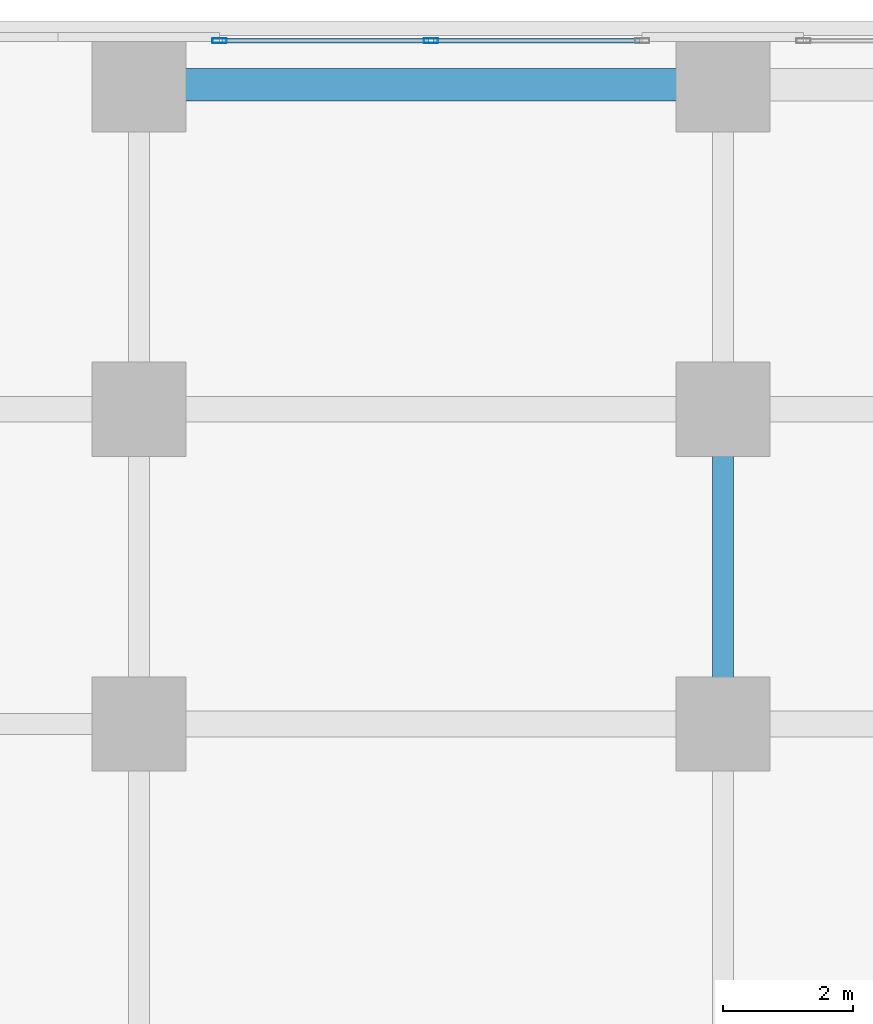
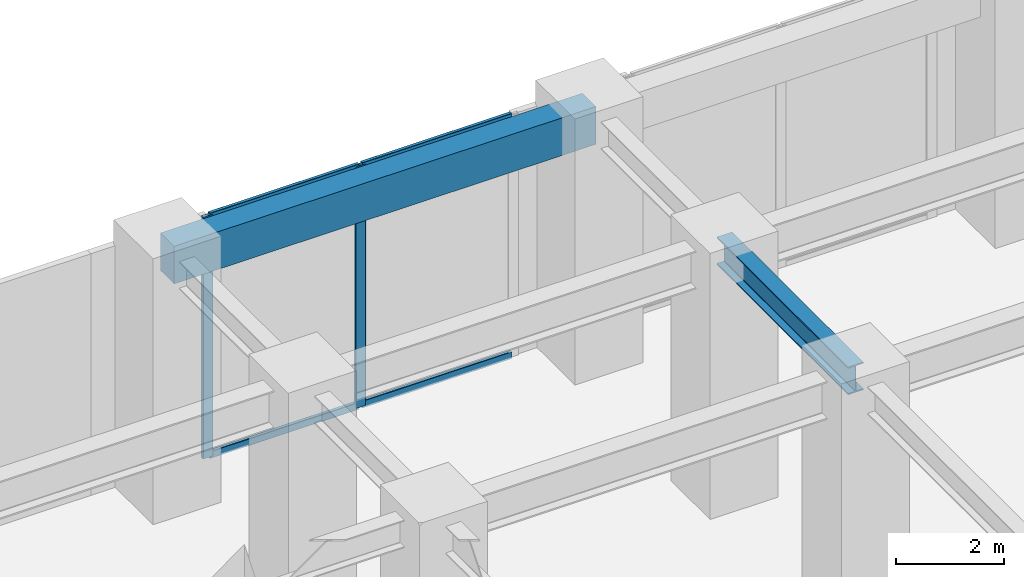
# One storey, part 17 of 34: 6 members, 2 beams, 1 element without a shape of its own.
"""IFC4 building model written with IfcOpenShell, lengths in metres."""

from ifc_helpers import new_model, si_unit, direction, frame, origin, origin_2d, place, context, subcontext, project, spatial, rectangle, hollow_rectangle, i_section, extrude, source, transform, mapped, material, material_profile, profile_set, type_object, element, aggregate, save


model = new_model("IFC4")

# Units and contexts
model_context = context("Model", 3, precision=1e-05, world=origin(), true_north=direction((0.0, 1.0)))
body_context = subcontext(model_context, "Body", "Model", "MODEL_VIEW")
ifc_project = project(units=[si_unit("LENGTHUNIT", "METRE"), si_unit("AREAUNIT", "SQUARE_METRE"), si_unit("VOLUMEUNIT", "CUBIC_METRE"), si_unit("PLANEANGLEUNIT", "RADIAN"), si_unit("MASSUNIT", "GRAM", prefix="KILO")], contexts=[model_context])

# Site, building, storey
site_placement = place(None, origin())
site = spatial("IfcSite", under=ifc_project, at=site_placement, CompositionType="ELEMENT")
building_placement = place(site_placement, origin())
building = spatial("IfcBuilding", under=site, at=building_placement, Name="Torre Montelarca", CompositionType="ELEMENT")
storey_placement = place(building_placement, frame((0.0, 0.0, 6.0)))
storey = spatial("IfcBuildingStorey", under=building, at=storey_placement, Name="L02", CompositionType="ELEMENT", Elevation=6.0)

# Beams
ifc_material_1 = material(Name="Concrete C55/67", Category="concrete")
ifc_material_profile_1 = material_profile(ifc_material_1, rectangle(XDim=0.5, YDim=0.85009765625, at=origin_2d()), Name="RCB500X850", Category="concrete")
ifc_profile_set_1 = profile_set([ifc_material_profile_1], Name="Concrete C55/67")
beam_type_1 = type_object("IfcBeamType", Name="BM-SP-RC850-EXT", PredefinedType="SPANDREL", material=ifc_profile_set_1)
shared_shape_1 = source(origin(), body_context, "Body", "SweptSolid", [
    extrude(rectangle(XDim=0.5, YDim=0.85009765625, at=origin_2d()), origin(), (0.0, 0.0, 1.0), 9.0),
])
beam_1_placement = place(storey_placement, frame((9.0, 57.0, 5.31494140625), z_axis=(1.0, 0.0, 0.0), x_axis=(0.0, 1.0, 0.0)))
element("IfcBeam", 1, at=beam_1_placement, inside=storey, type_object=beam_type_1, Name="L02 Grid Girder X 9.0-18.0 at Y=57.0", PredefinedType="SPANDREL", context=body_context, shape_type="MappedRepresentation", body=[
    mapped(shared_shape_1, transform((0.0, 0.0, 0.0), scale=1.0)),
])
ifc_material_2 = material(Name="Steel ASTM A992 Grade 50", Category="steel")
ifc_material_profile_2 = material_profile(ifc_material_2, i_section(OverallWidth=0.326904296875, OverallDepth=0.6220703125, WebThickness=0.015380859375, FlangeThickness=0.0244140625, FilletRadius=0.014892578125, at=origin_2d()), Name="W610X195", Category="steel")
ifc_profile_set_2 = profile_set([ifc_material_profile_2], Name="Steel ASTM A992 Grade 50")
beam_type_2 = type_object("IfcBeamType", Name="BM-G-W610H", PredefinedType="BEAM", material=ifc_profile_set_2)
shared_shape_2 = source(origin(), body_context, "Body", "SweptSolid", [
    extrude(i_section(OverallWidth=0.326904296875, OverallDepth=0.6220703125, WebThickness=0.015380859375, FlangeThickness=0.0244140625, FilletRadius=0.014892578125, at=origin_2d()), origin(), (0.0, 0.0, 1.0), 4.85009765625),
])
beam_2_placement = place(storey_placement, frame((18.0, 47.14990234375, 5.428955078125), z_axis=(0.0, 1.0, 0.0), x_axis=(-1.0, 0.0, 0.0)))
element("IfcBeam", 2, at=beam_2_placement, inside=storey, type_object=beam_type_2, Name="L02 Grid Girder Y 47.1-52.0 at X=18.0", PredefinedType="BEAM", context=body_context, shape_type="MappedRepresentation", body=[
    mapped(shared_shape_2, transform((0.0, 0.0, 0.0), scale=1.0)),
])

# Curtain wall, members
ifc_material_3 = material(Name="Insulated low-E laminated glass", Category="glass")
curtain_wall_type = type_object("IfcCurtainWallType", Name="CW-SYS-POD2", PredefinedType="USERDEFINED", material=ifc_material_3)
curtain_wall_placement = place(storey_placement, origin())
curtain_wall = element("IfcCurtainWall", 3, at=curtain_wall_placement, inside=storey, type_object=curtain_wall_type, Name="L02 Curtain Wall Run CW-T3-L02-E08-B3", ObjectType="UNITISED GLAZING", PredefinedType="USERDEFINED")
ifc_material_4 = material(Name="Anodised aluminium AA 6063-T6", Category="aluminium")
ifc_material_profile_3 = material_profile(ifc_material_4, hollow_rectangle(XDim=0.074951171875, YDim=0.219970703125, WallThickness=0.0048828125, InnerFilletRadius=0.0048828125, OuterFilletRadius=0.010009765625, at=origin_2d()), Name="ALU75X220X5", Category="aluminium")
ifc_profile_set_3 = profile_set([ifc_material_profile_3], Name="Anodised aluminium AA 6063-T6")
member_type_1 = type_object("IfcMemberType", Name="CWM-ALU220", PredefinedType="MULLION", material=ifc_profile_set_3)
shared_shape_3 = source(origin(), body_context, "Body", "SweptSolid", [
    extrude(hollow_rectangle(XDim=0.074951171875, YDim=0.219970703125, WallThickness=0.0048828125, InnerFilletRadius=0.0048828125, OuterFilletRadius=0.010009765625, at=origin_2d()), origin(), (0.0, 0.0, 1.0), 5.449951171875),
])
member_1_placement = place(storey_placement, frame((13.5, 57.679931640625, 0.0), z_axis=(0.0, 0.0, 1.0), x_axis=(0.0, -1.0, 0.0)))
member_1 = element("IfcMember", 4, at=member_1_placement, type_object=member_type_1, Name="CW mullion 2", PredefinedType="MULLION", context=body_context, shape_type="MappedRepresentation", body=[
    mapped(shared_shape_3, transform((0.0, 0.0, 0.0), scale=1.0)),
])
member_2_placement = place(storey_placement, frame((10.242431640625, 57.679931640625, 0.0), z_axis=(0.0, 0.0, 1.0), x_axis=(0.0, -1.0, 0.0)))
member_2 = element("IfcMember", 5, at=member_2_placement, type_object=member_type_1, Name="CW mullion 3", PredefinedType="MULLION", context=body_context, shape_type="MappedRepresentation", body=[
    mapped(shared_shape_3, transform((0.0, 0.0, 0.0), scale=1.0)),
])
ifc_material_profile_4 = material_profile(ifc_material_4, hollow_rectangle(XDim=0.074951171875, YDim=0.159912109375, WallThickness=0.0048828125, InnerFilletRadius=0.0048828125, OuterFilletRadius=0.010009765625, at=origin_2d()), Name="ALU75X160X5", Category="aluminium")
ifc_profile_set_4 = profile_set([ifc_material_profile_4], Name="Anodised aluminium AA 6063-T6")
member_type_2 = type_object("IfcMemberType", Name="CWT-ALU160", PredefinedType="USERDEFINED", material=ifc_profile_set_4)
shared_shape_4 = source(origin(), body_context, "Body", "SweptSolid", [
    extrude(hollow_rectangle(XDim=0.074951171875, YDim=0.159912109375, WallThickness=0.0048828125, InnerFilletRadius=0.0048828125, OuterFilletRadius=0.010009765625, at=origin_2d()), origin(), (0.0, 0.0, 1.0), 3.182373046875),
])
member_3_placement = place(storey_placement, frame((16.719970703125, 57.679931640625, 0.03759765625), z_axis=(-1.0, 0.0, 0.0), x_axis=(0.0, -1.0, 0.0)))
member_3 = element("IfcMember", 6, at=member_3_placement, type_object=member_type_2, Name="CW transom 1.1", ObjectType="TRANSOM", PredefinedType="USERDEFINED", context=body_context, shape_type="MappedRepresentation", body=[
    mapped(shared_shape_4, transform((0.0, 0.0, 0.0), scale=1.0)),
])
member_4_placement = place(storey_placement, frame((16.719970703125, 57.679931640625, 5.41259765625), z_axis=(-1.0, 0.0, 0.0), x_axis=(0.0, -1.0, 0.0)))
member_4 = element("IfcMember", 7, at=member_4_placement, type_object=member_type_2, Name="CW transom 1.2", ObjectType="TRANSOM", PredefinedType="USERDEFINED", context=body_context, shape_type="MappedRepresentation", body=[
    mapped(shared_shape_4, transform((0.0, 0.0, 0.0), scale=1.0)),
])
member_5_placement = place(storey_placement, frame((13.46240234375, 57.679931640625, 0.03759765625), z_axis=(-1.0, 0.0, 0.0), x_axis=(0.0, -1.0, 0.0)))
member_5 = element("IfcMember", 8, at=member_5_placement, type_object=member_type_2, Name="CW transom 2.1", ObjectType="TRANSOM", PredefinedType="USERDEFINED", context=body_context, shape_type="MappedRepresentation", body=[
    mapped(shared_shape_4, transform((0.0, 0.0, 0.0), scale=1.0)),
])
member_6_placement = place(storey_placement, frame((13.46240234375, 57.679931640625, 5.41259765625), z_axis=(-1.0, 0.0, 0.0), x_axis=(0.0, -1.0, 0.0)))
member_6 = element("IfcMember", 9, at=member_6_placement, type_object=member_type_2, Name="CW transom 2.2", ObjectType="TRANSOM", PredefinedType="USERDEFINED", context=body_context, shape_type="MappedRepresentation", body=[
    mapped(shared_shape_4, transform((0.0, 0.0, 0.0), scale=1.0)),
])
aggregate(curtain_wall, [member_1, member_2, member_3, member_4, member_5, member_6])

save(model, "model.ifc")
